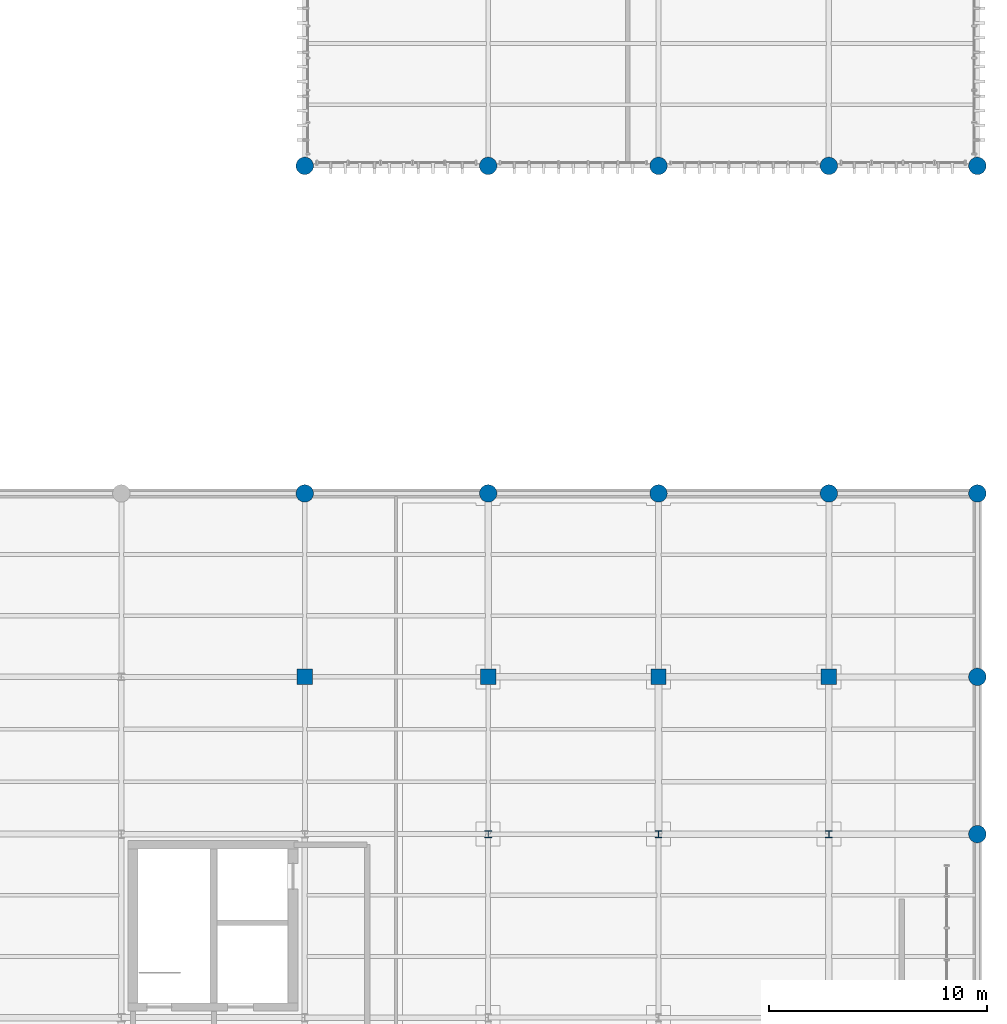
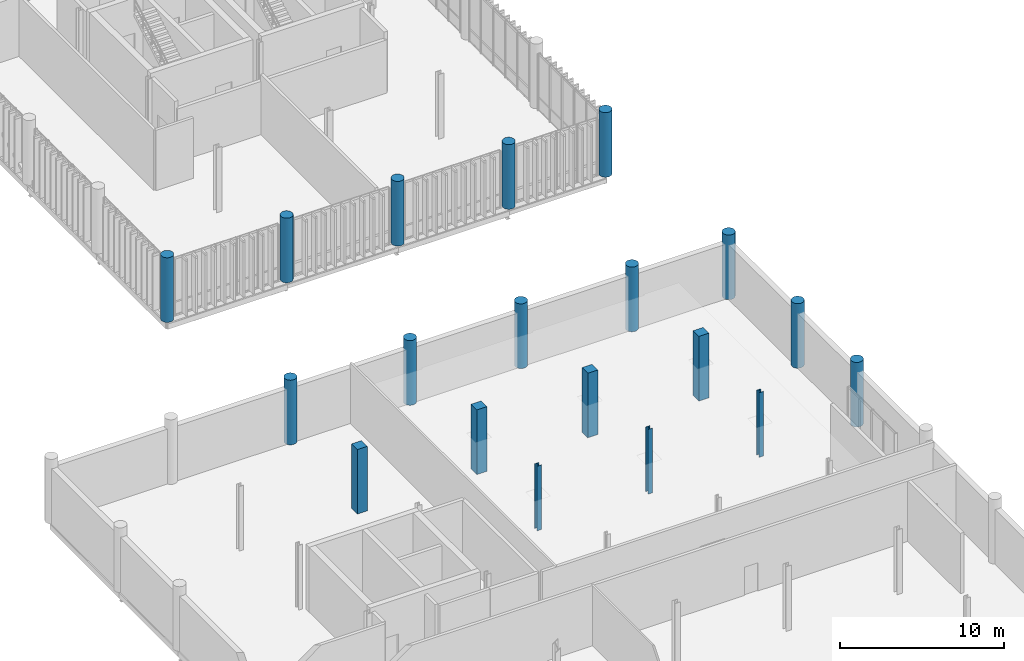
# One storey, part 9 of 94: 19 columns.
"""IFC4 building model written with IfcOpenShell, lengths in metres."""

from ifc_helpers import new_model, si_unit, direction, frame, origin_with_axes, origin_2d_with_axis, place, context, subcontext, project, spatial, rectangle, circle, i_section, extrude, material, material_profile, profile_set, type_object, element, save


model = new_model("IFC4")

# Units and contexts
model_context = context("Model", 3, precision=1e-05, world=origin_with_axes(), true_north=direction((0.0, 1.0)))
body_context = subcontext(model_context, "Body", "Model", "MODEL_VIEW")
ifc_project = project(units=[si_unit("LENGTHUNIT", "METRE"), si_unit("AREAUNIT", "SQUARE_METRE"), si_unit("VOLUMEUNIT", "CUBIC_METRE"), si_unit("PLANEANGLEUNIT", "RADIAN"), si_unit("MASSUNIT", "GRAM", prefix="KILO"), si_unit("THERMODYNAMICTEMPERATUREUNIT", "KELVIN")], contexts=[model_context])

# Site, building, storey
site_placement = place(None, origin_with_axes())
site = spatial("IfcSite", under=ifc_project, at=site_placement, CompositionType="ELEMENT")
building_placement = place(site_placement, origin_with_axes())
building = spatial("IfcBuilding", under=site, at=building_placement, Name="Montbau Bow Law Courts", CompositionType="ELEMENT")
storey_placement = place(building_placement, frame((0.0, 0.0, 15.6), z_axis=(0.0, 0.0, 1.0), x_axis=(1.0, 0.0, 0.0)))
storey = spatial("IfcBuildingStorey", under=building, at=storey_placement, Name="L03", CompositionType="ELEMENT", Elevation=15.6)

# Columns
ifc_material_1 = material(Name="Concrete CSA A23.1 f'c 40 MPa", Category="concrete")
ifc_material_profile_1 = material_profile(ifc_material_1, rectangle(XDim=0.7, YDim=0.7, at=origin_2d_with_axis()), Name="RC700X700", Category="Main", Priority=0)
ifc_profile_set_1 = profile_set([ifc_material_profile_1], Name="Concrete CSA A23.1 f'c 40 MPa")
column_type_1 = type_object("IfcColumnType", Name="C-RC-04", PredefinedType="COLUMN", material=ifc_profile_set_1)
for number, where, z_axis, x_axis, name in (
    (1, (138.6, 46.2, 15.6), (0.0, 0.0, 1.0), (1.0, 0.0, 0.0), "C-L03-S0711:col2_0711"),
    (2, (147.0, 46.2, 15.6), (0.0, 0.0, 1.0), (1.0, 0.0, 0.0), "C-L03-S0723:col2_0723"),
    (3, (154.8, 46.2, 15.6), (0.0, 0.0, 1.0), (1.0, 0.0, 0.0), "C-L03-S0735:col2_0735"),
    (4, (162.6, 46.2, 15.6), (0.0, 0.0, 1.0), (1.0, 0.0, 0.0), "C-L03-S0747:col2_0747"),
):
    element("IfcColumn", number, at=place(None, frame(where, z_axis=z_axis, x_axis=x_axis)), inside=storey, type_object=column_type_1, Name=name, PredefinedType="COLUMN", context=body_context, shape_type="SweptSolid", body=[
        extrude(rectangle(XDim=0.7, YDim=0.7, at=origin_2d_with_axis()), origin_with_axes(), (0.0, 0.0, 1.0), 4.8),
    ])
ifc_material_profile_2 = material_profile(ifc_material_1, circle(Radius=0.4, at=origin_2d_with_axis()), Name="RC800D", Category="Main", Priority=0)
ifc_profile_set_2 = profile_set([ifc_material_profile_2], Name="Concrete CSA A23.1 f'c 40 MPa")
column_type_2 = type_object("IfcColumnType", Name="C-RC-07", PredefinedType="COLUMN", material=ifc_profile_set_2)
for number, where, z_axis, x_axis, name in (
    (5, (138.6, 54.6, 15.6), (0.0, 0.0, 1.0), (1.0, 0.0, 0.0), "C-L03-S0712:col2_0712"),
    (6, (138.6, 69.6, 15.6), (0.0, 0.0, 1.0), (1.0, 0.0, 0.0), "C-L03-S0713:col2_0713"),
    (7, (147.0, 54.6, 15.6), (0.0, 0.0, 1.0), (1.0, 0.0, 0.0), "C-L03-S0724:col2_0724"),
    (8, (147.0, 69.6, 15.6), (0.0, 0.0, 1.0), (1.0, 0.0, 0.0), "C-L03-S0725:col2_0725"),
    (9, (154.8, 54.6, 15.6), (0.0, 0.0, 1.0), (1.0, 0.0, 0.0), "C-L03-S0736:col2_0736"),
    (10, (154.8, 69.6, 15.6), (0.0, 0.0, 1.0), (1.0, 0.0, 0.0), "C-L03-S0737:col2_0737"),
    (11, (162.6, 54.6, 15.6), (0.0, 0.0, 1.0), (1.0, 0.0, 0.0), "C-L03-S0748:col2_0748"),
    (12, (162.6, 69.6, 15.6), (0.0, 0.0, 1.0), (1.0, 0.0, 0.0), "C-L03-S0749:col2_0749"),
    (13, (169.4, 39.0, 15.6), (0.0, 0.0, 1.0), (1.0, 0.0, 0.0), "C-L03-S0758:col2_0758"),
    (14, (169.4, 46.2, 15.6), (0.0, 0.0, 1.0), (1.0, 0.0, 0.0), "C-L03-S0759:col2_0759"),
    (15, (169.4, 54.6, 15.6), (0.0, 0.0, 1.0), (1.0, 0.0, 0.0), "C-L03-S0760:col2_0760"),
    (16, (169.4, 69.6, 15.6), (0.0, 0.0, 1.0), (1.0, 0.0, 0.0), "C-L03-S0761:col2_0761"),
):
    element("IfcColumn", number, at=place(None, frame(where, z_axis=z_axis, x_axis=x_axis)), inside=storey, type_object=column_type_2, Name=name, PredefinedType="COLUMN", context=body_context, shape_type="SweptSolid", body=[
        extrude(circle(Radius=0.4, at=origin_2d_with_axis()), origin_with_axes(), (0.0, 0.0, 1.0), 4.8),
    ])
ifc_material_2 = material(Name="Steel CSA G40.21 Grade 350W (350 MPa)", Category="steel")
ifc_material_profile_3 = material_profile(ifc_material_2, i_section(OverallWidth=0.309, OverallDepth=0.323, WebThickness=0.014, FlangeThickness=0.0229, at=origin_2d_with_axis()), Name="W310X143", Category="Main", Priority=0)
ifc_profile_set_3 = profile_set([ifc_material_profile_3], Name="Steel CSA G40.21 Grade 350W (350 MPa)")
column_type_3 = type_object("IfcColumnType", Name="C-STL-06", PredefinedType="COLUMN", material=ifc_profile_set_3)
for number, where, z_axis, x_axis, name in (
    (17, (147.0, 39.0, 15.6), (0.0, 0.0, 1.0), (1.0, 0.0, 0.0), "C-L03-S0722:col2_0722"),
    (18, (154.8, 39.0, 15.6), (0.0, 0.0, 1.0), (1.0, 0.0, 0.0), "C-L03-S0734:col2_0734"),
    (19, (162.6, 39.0, 15.6), (0.0, 0.0, 1.0), (1.0, 0.0, 0.0), "C-L03-S0746:col2_0746"),
):
    element("IfcColumn", number, at=place(None, frame(where, z_axis=z_axis, x_axis=x_axis)), inside=storey, type_object=column_type_3, Name=name, PredefinedType="COLUMN", context=body_context, shape_type="SweptSolid", body=[
        extrude(i_section(OverallWidth=0.309, OverallDepth=0.323, WebThickness=0.014, FlangeThickness=0.0229, at=origin_2d_with_axis()), origin_with_axes(), (0.0, 0.0, 1.0), 4.8),
    ])

save(model, "model.ifc")
